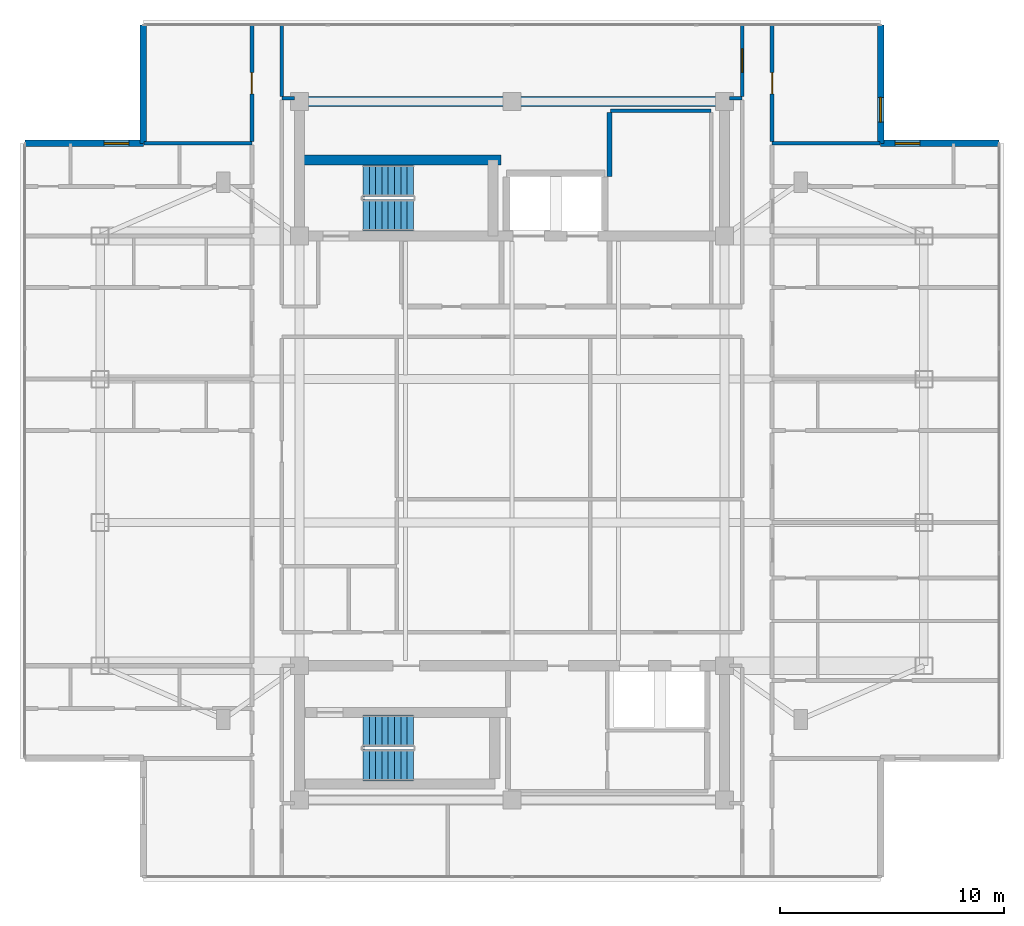
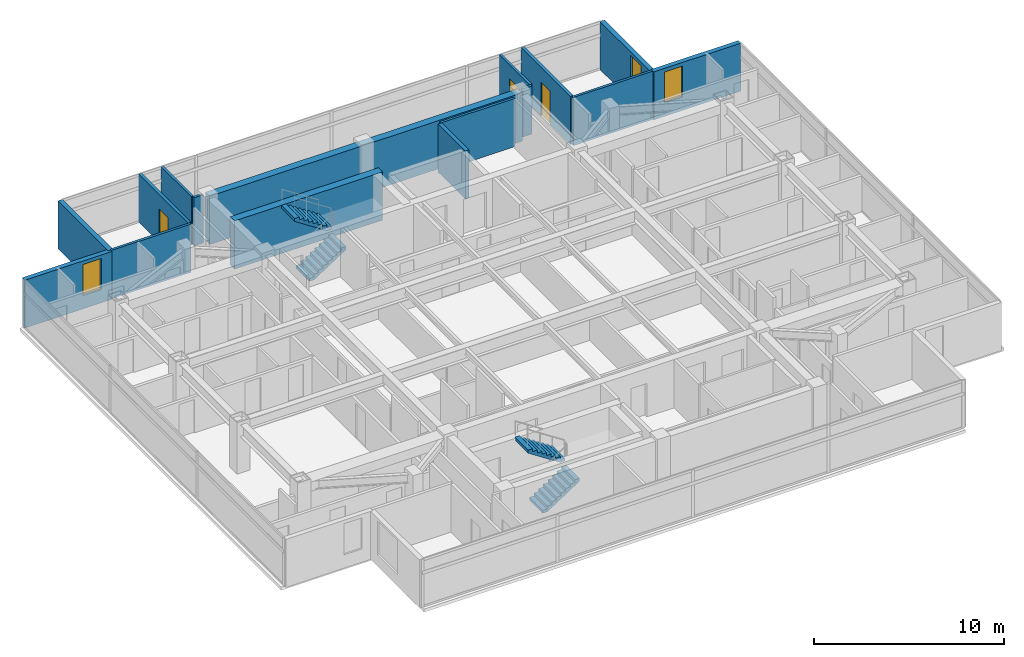
# One storey, part 11 of 14: 16 walls, 4 stair flights, 3 doors, 3 windows, 6 openings, 2 elements without a shape of their own.
"""IFC4 building model written with IfcOpenShell, lengths in metres."""

from ifc_helpers import new_model, si_unit, direction, frame, frame_2d, origin, place, context, subcontext, project, spatial, polyline, rectangle, outline, extrude, material, layer, layer_set, type_object, element, fill, aggregate, save


model = new_model("IFC4")

# Units and contexts
model_context = context("Model", 3, precision=1e-05, world=origin(), true_north=direction((0.0, 1.0)))
body_context = subcontext(model_context, "Body", "Model", "MODEL_VIEW")
ifc_project = project(units=[si_unit("LENGTHUNIT", "METRE"), si_unit("AREAUNIT", "SQUARE_METRE"), si_unit("VOLUMEUNIT", "CUBIC_METRE"), si_unit("PLANEANGLEUNIT", "RADIAN"), si_unit("MASSUNIT", "GRAM", prefix="KILO")], contexts=[model_context])

# Site, building, storey
site_placement = place(None, origin())
site = spatial("IfcSite", under=ifc_project, at=site_placement, CompositionType="ELEMENT")
building_placement = place(site_placement, origin())
building = spatial("IfcBuilding", under=site, at=building_placement, Name="Mirazonda Arch Towers", CompositionType="ELEMENT")
storey_placement = place(building_placement, frame((0.0, 0.0, 239.199951171875)))
storey = spatial("IfcBuildingStorey", under=building, at=storey_placement, Name="L68", CompositionType="ELEMENT", Elevation=239.199951171875)

# Walls
ifc_material_1 = material(Name="Concrete C50/60", Category="concrete")
ifc_layer_1 = layer(ifc_material_1, 0.449951171875, Name="WALL-CORE-450")
ifc_layer_set_1 = layer_set([ifc_layer_1], Name="Concrete C50/60")
wall_type_1 = type_object("IfcWallType", Name="WALL-CORE-450", PredefinedType="SHEAR", material=ifc_layer_set_1)
wall_1_placement = place(storey_placement, frame((11.0, 43.60009765625, 0.0), z_axis=(0.0, 0.0, 1.0), x_axis=(1.0, 0.0, 0.0)))
element("IfcWall", 1, at=wall_1_placement, inside=storey, type_object=wall_type_1, Name="L68 T1N-N Core Shear Wall", PredefinedType="SHEAR", context=body_context, shape_type="SweptSolid", body=[
    extrude(rectangle(XDim=19.0, YDim=0.449951171875, at=frame_2d((9.5, 0.0))), origin(), (0.0, 0.0, 1.0), 3.10009765625),
])
wall_2_placement = place(storey_placement, frame((11.0, 40.992919921875, 0.0), z_axis=(0.0, 0.0, 1.0), x_axis=(1.0, 0.0, 0.0)))
element("IfcWall", 2, at=wall_2_placement, inside=storey, type_object=wall_type_1, Name="L68 T1N-STN Core Shear Wall", PredefinedType="SHEAR", context=body_context, shape_type="SweptSolid", body=[
    extrude(rectangle(XDim=9.0, YDim=0.449951171875, at=frame_2d((4.5, 0.0))), origin(), (0.0, 0.0, 1.0), 3.10009765625),
])

# Wall, opening, window
ifc_material_2 = material(Name="Precast Concrete C40/50", Category="concrete")
ifc_layer_2 = layer(ifc_material_2, 0.280029296875, Name="WALL-EXT-WALL-280")
ifc_layer_set_2 = layer_set([ifc_layer_2], Name="Precast Concrete C40/50")
wall_type_2 = type_object("IfcWallType", Name="WALL-EXT-WALL-280", PredefinedType="SOLIDWALL", material=ifc_layer_set_2)
wall_3_placement = place(storey_placement, frame((36.969970703125, 41.738037109375, 0.0), z_axis=(0.0, 0.0, 1.0), x_axis=(0.0, 1.0, 0.0)))
wall_3 = element("IfcWall", 3, at=wall_3_placement, inside=storey, type_object=wall_type_2, Name="L68 T1 Notched NE Corner Wall WL-L68-T1-CNE", PredefinedType="SOLIDWALL", context=body_context, shape_type="SweptSolid", body=[
    extrude(rectangle(XDim=5.2900390625, YDim=0.280029296875, at=frame_2d((2.64501953125, 0.0))), origin(), (0.0, 0.0, 1.0), 3.080078125),
])
opening_1_placement = place(wall_3_placement, frame((0.949951171875, 0.0, 0.85009765625)))
opening_1 = element("IfcOpeningElement", 4, at=opening_1_placement, cuts=wall_3, Name="Opening WN-108", PredefinedType="OPENING", context=body_context, shape_type="SweptSolid", body=[
    extrude(rectangle(XDim=1.10009765625, YDim=2.0, at=frame_2d((0.550048828125, 1.0))), frame((0.0, 0.14990234375, 0.0), z_axis=(0.0, -1.0, 0.0), x_axis=(1.0, 0.0, 0.0)), (0.0, 0.0, 1.0), 0.300048828125),
])
ifc_material_3 = material(Name="Insulated Low-E Solar Glass", Category="glass")
window_type = type_object("IfcWindowType", Name="WIN-NOTCH-1100x2000", PartitioningType="SINGLE_PANEL", PredefinedType="WINDOW", material=ifc_material_3)
window_1_placement = place(opening_1_placement, origin())
window_1 = element("IfcWindow", 5, at=window_1_placement, inside=storey, type_object=window_type, Name="L68 Punched Facade Window WN-L68-T1-CNE", OverallHeight=2.0, OverallWidth=1.10009765625, PartitioningType="SINGLE_PANEL", PredefinedType="WINDOW", context=body_context, shape_type="SweptSolid", body=[
    extrude(rectangle(XDim=1.10009765625, YDim=2.0, at=frame_2d((0.550048828125, 1.0))), frame((0.0, 0.030029296875, 0.0), z_axis=(0.0, -1.0, 0.0), x_axis=(1.0, 0.0, 0.0)), (0.0, 0.0, 1.0), 0.06005859375),
])
fill(opening_1, window_1)

wall_4_placement = place(storey_placement, frame((4.030029296875, 41.738037109375, 0.0), z_axis=(0.0, 0.0, 1.0), x_axis=(-1.0, 0.0, 0.0)))
wall_4 = element("IfcWall", 6, at=wall_4_placement, inside=storey, type_object=wall_type_2, Name="L68 T1 Corner Notch Return Wall WL-L68-T1-CNW1", PredefinedType="SOLIDWALL", context=body_context, shape_type="SweptSolid", body=[
    extrude(rectangle(XDim=5.2900390625, YDim=0.280029296875, at=frame_2d((2.64501953125, 0.0))), origin(), (0.0, 0.0, 1.0), 3.080078125),
])
opening_2_placement = place(wall_4_placement, frame((0.64990234375, 0.0, 0.85009765625)))
opening_2 = element("IfcOpeningElement", 7, at=opening_2_placement, cuts=wall_4, Name="Opening WN-108", PredefinedType="OPENING", context=body_context, shape_type="SweptSolid", body=[
    extrude(rectangle(XDim=1.10009765625, YDim=2.0, at=frame_2d((0.550048828125, 1.0))), frame((0.0, 0.14990234375, 0.0), z_axis=(0.0, -1.0, 0.0), x_axis=(1.0, 0.0, 0.0)), (0.0, 0.0, 1.0), 0.300048828125),
])
window_2_placement = place(opening_2_placement, origin())
window_2 = element("IfcWindow", 8, at=window_2_placement, inside=storey, type_object=window_type, Name="L68 Punched Facade Window WN-L68-T1-CNW1", OverallHeight=2.0, OverallWidth=1.10009765625, PartitioningType="SINGLE_PANEL", PredefinedType="WINDOW", context=body_context, shape_type="SweptSolid", body=[
    extrude(rectangle(XDim=1.10009765625, YDim=2.0, at=frame_2d((0.550048828125, 1.0))), frame((0.0, 0.030029296875, 0.0), z_axis=(0.0, -1.0, 0.0), x_axis=(1.0, 0.0, 0.0)), (0.0, 0.0, 1.0), 0.06005859375),
])
fill(opening_2, window_2)

# Wall
wall_5_placement = place(storey_placement, frame((4.030029296875, 47.028076171875, 0.0), z_axis=(0.0, 0.0, 1.0), x_axis=(0.0, -1.0, 0.0)))
element("IfcWall", 9, at=wall_5_placement, inside=storey, type_object=wall_type_2, Name="L68 T1 Corner Notch Return Wall WL-L68-T1-CNW2", PredefinedType="SOLIDWALL", context=body_context, shape_type="SweptSolid", body=[
    extrude(rectangle(XDim=5.2900390625, YDim=0.280029296875, at=frame_2d((2.64501953125, 0.0))), origin(), (0.0, 0.0, 1.0), 3.080078125),
])

# Wall, opening, window
wall_6_placement = place(storey_placement, frame((42.260009765625, 41.738037109375, 0.0), z_axis=(0.0, 0.0, 1.0), x_axis=(-1.0, 0.0, 0.0)))
wall_6 = element("IfcWall", 10, at=wall_6_placement, inside=storey, type_object=wall_type_2, Name="L68 T1 Corner Notch Return Wall WL-L68-T1-CNE2", PredefinedType="SOLIDWALL", context=body_context, shape_type="SweptSolid", body=[
    extrude(rectangle(XDim=5.2900390625, YDim=0.280029296875, at=frame_2d((2.64501953125, 0.0))), origin(), (0.0, 0.0, 1.0), 3.080078125),
])
opening_3_placement = place(wall_6_placement, frame((3.5400390625, 0.0, 0.85009765625)))
opening_3 = element("IfcOpeningElement", 11, at=opening_3_placement, cuts=wall_6, Name="Opening WN-108", PredefinedType="OPENING", context=body_context, shape_type="SweptSolid", body=[
    extrude(rectangle(XDim=1.10009765625, YDim=2.0, at=frame_2d((0.550048828125, 1.0))), frame((0.0, 0.14990234375, 0.0), z_axis=(0.0, -1.0, 0.0), x_axis=(1.0, 0.0, 0.0)), (0.0, 0.0, 1.0), 0.300048828125),
])
window_3_placement = place(opening_3_placement, origin())
window_3 = element("IfcWindow", 12, at=window_3_placement, inside=storey, type_object=window_type, Name="L68 Punched Facade Window WN-L68-T1-CNE2", OverallHeight=2.0, OverallWidth=1.10009765625, PartitioningType="SINGLE_PANEL", PredefinedType="WINDOW", context=body_context, shape_type="SweptSolid", body=[
    extrude(rectangle(XDim=1.10009765625, YDim=2.0, at=frame_2d((0.550048828125, 1.0))), frame((0.0, 0.030029296875, 0.0), z_axis=(0.0, -1.0, 0.0), x_axis=(1.0, 0.0, 0.0)), (0.0, 0.0, 1.0), 0.06005859375),
])
fill(opening_3, window_3)

# Walls
ifc_material_4 = material(Name="Concrete C40/50", Category="concrete")
ifc_layer_3 = layer(ifc_material_4, 0.219970703125, Name="WALL-FFL-220")
ifc_layer_set_3 = layer_set([ifc_layer_3], Name="Concrete C40/50")
wall_type_3 = type_object("IfcWallType", Name="WALL-FFL-220", PredefinedType="SOLIDWALL", material=ifc_layer_set_3)
wall_7_placement = place(storey_placement, frame((24.85009765625, 40.260009765625, 0.0), z_axis=(0.0, 0.0, 1.0), x_axis=(0.0, 1.0, 0.0)))
element("IfcWall", 13, at=wall_7_placement, inside=storey, type_object=wall_type_3, Name="L68 Interior Partition 081", PredefinedType="SOLIDWALL", context=body_context, shape_type="SweptSolid", body=[
    extrude(rectangle(XDim=2.85498046875, YDim=0.219970703125, at=frame_2d((1.427490234375, 0.0))), origin(), (0.0, 0.0, 1.0), 3.10009765625),
])
ifc_material_5 = material(Name="Fire-Rated Gypsum Stud Partition")
ifc_layer_4 = layer(ifc_material_5, 0.14990234375, Name="WALL-PART-CORR-150")
ifc_layer_set_4 = layer_set([ifc_layer_4], Name="Fire-Rated Gypsum Stud Partition")
wall_type_4 = type_object("IfcWallType", Name="WALL-PART-CORR-150", PredefinedType="PARTITIONING", material=ifc_layer_set_4)
for number, where, z_axis, x_axis, name in (
    (14, (4.050048828125, 41.738037109375, 0.0), (0.0, 0.0, 1.0), (1.0, 0.0, 0.0), "L68 Interior Partition 034"),
    (15, (32.1201171875, 41.738037109375, 0.0), (0.0, 0.0, 1.0), (1.0, 0.0, 0.0), "L68 Interior Partition 035"),
):
    element("IfcWall", number, at=place(storey_placement, frame(where, z_axis=z_axis, x_axis=x_axis)), inside=storey, type_object=wall_type_4, Name=name, PredefinedType="PARTITIONING", context=body_context, shape_type="SweptSolid", body=[
        extrude(rectangle(XDim=4.829833984375, YDim=0.14990234375, at=frame_2d((2.4150390625, 0.0))), origin(), (0.0, 0.0, 1.0), 3.10009765625),
    ])
wall_8_placement = place(storey_placement, frame((24.89990234375, 43.199951171875, 0.0), z_axis=(0.0, 0.0, 1.0), x_axis=(1.0, 0.0, 0.0)))
element("IfcWall", 16, at=wall_8_placement, inside=storey, type_object=wall_type_4, Name="L68 Interior Partition 036", PredefinedType="PARTITIONING", context=body_context, shape_type="SweptSolid", body=[
    extrude(rectangle(XDim=4.5, YDim=0.14990234375, at=frame_2d((2.25, 0.0))), origin(), (0.0, 0.0, 1.0), 3.10009765625),
])
for number, where, z_axis, x_axis, name in (
    (17, (10.219970703125, 43.75, 0.0), (0.0, 0.0, 1.0), (1.0, 0.0, 0.0), "L68 Interior Partition 037"),
    (18, (30.219970703125, 43.75, 0.0), (0.0, 0.0, 1.0), (1.0, 0.0, 0.0), "L68 Interior Partition 038"),
):
    element("IfcWall", number, at=place(storey_placement, frame(where, z_axis=z_axis, x_axis=x_axis)), inside=storey, type_object=wall_type_4, Name=name, PredefinedType="PARTITIONING", context=body_context, shape_type="SweptSolid", body=[
        extrude(rectangle(XDim=0.56005859375, YDim=0.14990234375, at=frame_2d((0.280029296875, 0.0))), origin(), (0.0, 0.0, 1.0), 3.10009765625),
    ])
wall_9_placement = place(storey_placement, frame((10.219970703125, 43.8349609375, 0.0), z_axis=(0.0, 0.0, 1.0), x_axis=(0.0, 1.0, 0.0)))
element("IfcWall", 19, at=wall_9_placement, inside=storey, type_object=wall_type_4, Name="L68 Interior Partition 062", PredefinedType="PARTITIONING", context=body_context, shape_type="SweptSolid", body=[
    extrude(rectangle(XDim=3.193115234375, YDim=0.14990234375, at=frame_2d((1.5966796875, 0.0))), origin(), (0.0, 0.0, 1.0), 3.10009765625),
])

# Wall, opening, door
wall_10_placement = place(storey_placement, frame((30.780029296875, 43.8349609375, 0.0), z_axis=(0.0, 0.0, 1.0), x_axis=(0.0, 1.0, 0.0)))
wall_10 = element("IfcWall", 20, at=wall_10_placement, inside=storey, type_object=wall_type_4, Name="L68 Interior Partition 091", PredefinedType="PARTITIONING", context=body_context, shape_type="SweptSolid", body=[
    extrude(rectangle(XDim=3.193115234375, YDim=0.14990234375, at=frame_2d((1.5966796875, 0.0))), origin(), (0.0, 0.0, 1.0), 3.10009765625),
])
opening_4_placement = place(wall_10_placement, frame((1.071533203125, 0.0, 0.0)))
opening_4 = element("IfcOpeningElement", 21, at=opening_4_placement, cuts=wall_10, Name="Opening DR-121", PredefinedType="OPENING", context=body_context, shape_type="SweptSolid", body=[
    extrude(rectangle(XDim=1.050048828125, YDim=2.199951171875, at=frame_2d((0.52490234375, 1.10009765625))), frame((0.0, 0.0849609375, 0.0), z_axis=(0.0, -1.0, 0.0), x_axis=(1.0, 0.0, 0.0)), (0.0, 0.0, 1.0), 0.169921875),
])
ifc_material_6 = material(Name="Architectural Brushed Steel S355", Category="steel")
door_type_1 = type_object("IfcDoorType", Name="DOOR-SUITE-FD60-1050", OperationType="NOTDEFINED", PredefinedType="DOOR", material=ifc_material_6)
door_1_placement = place(opening_4_placement, origin())
door_1 = element("IfcDoor", 22, at=door_1_placement, inside=storey, type_object=door_type_1, Name="L68 North Bay Sunroom Suite Door", OperationType="SINGLE_SWING_RIGHT", OverallHeight=2.199951171875, OverallWidth=1.050048828125, PredefinedType="DOOR", context=body_context, shape_type="SweptSolid", body=[
    extrude(rectangle(XDim=1.050048828125, YDim=2.199951171875, at=frame_2d((0.52490234375, 1.10009765625))), frame((0.0, 0.02490234375, 0.0), z_axis=(0.0, -1.0, 0.0), x_axis=(1.0, 0.0, 0.0)), (0.0, 0.0, 1.0), 0.050048828125),
])
fill(opening_4, door_1)

ifc_material_7 = material(Name="Fire-Rated Gypsum Twin-Stud Assembly")
ifc_layer_5 = layer(ifc_material_7, 0.179931640625, Name="WALL-PART-DEMISE-180")
ifc_layer_set_5 = layer_set([ifc_layer_5], Name="Fire-Rated Gypsum Twin-Stud Assembly")
wall_type_5 = type_object("IfcWallType", Name="WALL-PART-DEMISE-180", PredefinedType="PARTITIONING", material=ifc_layer_set_5)
wall_11_placement = place(storey_placement, frame((8.8798828125, 41.822998046875, 0.0), z_axis=(0.0, 0.0, 1.0), x_axis=(0.0, 1.0, 0.0)))
wall_11 = element("IfcWall", 23, at=wall_11_placement, inside=storey, type_object=wall_type_5, Name="L68 Interior Partition 056", PredefinedType="PARTITIONING", context=body_context, shape_type="SweptSolid", body=[
    extrude(rectangle(XDim=5.205078125, YDim=0.179931640625, at=frame_2d((2.6025390625, 0.0))), origin(), (0.0, 0.0, 1.0), 3.10009765625),
])
opening_5_placement = place(wall_11_placement, frame((2.12744140625, 0.0, 0.0)))
opening_5 = element("IfcOpeningElement", 24, at=opening_5_placement, cuts=wall_11, Name="Opening DR-104", PredefinedType="OPENING", context=body_context, shape_type="SweptSolid", body=[
    extrude(rectangle(XDim=0.949951171875, YDim=2.14990234375, at=frame_2d((0.47509765625, 1.074951171875))), frame((0.0, 0.099853515625, 0.0), z_axis=(0.0, -1.0, 0.0), x_axis=(1.0, 0.0, 0.0)), (0.0, 0.0, 1.0), 0.199951171875),
])
door_type_2 = type_object("IfcDoorType", Name="DOOR-ROOM-950", OperationType="NOTDEFINED", PredefinedType="DOOR", material=ifc_material_6)
door_2_placement = place(opening_5_placement, origin())
door_2 = element("IfcDoor", 25, at=door_2_placement, inside=storey, type_object=door_type_2, Name="L68 North Bay Sunroom Alcove West Door", OperationType="SINGLE_SWING_LEFT", OverallHeight=2.14990234375, OverallWidth=0.949951171875, PredefinedType="DOOR", context=body_context, shape_type="SweptSolid", body=[
    extrude(rectangle(XDim=0.949951171875, YDim=2.14990234375, at=frame_2d((0.47509765625, 1.074951171875))), frame((0.0, 0.02490234375, 0.0), z_axis=(0.0, -1.0, 0.0), x_axis=(1.0, 0.0, 0.0)), (0.0, 0.0, 1.0), 0.050048828125),
])
fill(opening_5, door_2)

wall_12_placement = place(storey_placement, frame((32.1201171875, 41.822998046875, 0.0), z_axis=(0.0, 0.0, 1.0), x_axis=(0.0, 1.0, 0.0)))
wall_12 = element("IfcWall", 26, at=wall_12_placement, inside=storey, type_object=wall_type_5, Name="L68 Interior Partition 103", PredefinedType="PARTITIONING", context=body_context, shape_type="SweptSolid", body=[
    extrude(rectangle(XDim=5.205078125, YDim=0.179931640625, at=frame_2d((2.6025390625, 0.0))), origin(), (0.0, 0.0, 1.0), 3.10009765625),
])
opening_6_placement = place(wall_12_placement, frame((2.12744140625, 0.0, 0.0)))
opening_6 = element("IfcOpeningElement", 27, at=opening_6_placement, cuts=wall_12, Name="Opening DR-104", PredefinedType="OPENING", context=body_context, shape_type="SweptSolid", body=[
    extrude(rectangle(XDim=0.949951171875, YDim=2.14990234375, at=frame_2d((0.47509765625, 1.074951171875))), frame((0.0, 0.099853515625, 0.0), z_axis=(0.0, -1.0, 0.0), x_axis=(1.0, 0.0, 0.0)), (0.0, 0.0, 1.0), 0.199951171875),
])
door_3_placement = place(opening_6_placement, origin())
door_3 = element("IfcDoor", 28, at=door_3_placement, inside=storey, type_object=door_type_2, Name="L68 North Bay Sunroom Alcove East Door", OperationType="SINGLE_SWING_RIGHT", OverallHeight=2.14990234375, OverallWidth=0.949951171875, PredefinedType="DOOR", context=body_context, shape_type="SweptSolid", body=[
    extrude(rectangle(XDim=0.949951171875, YDim=2.14990234375, at=frame_2d((0.47509765625, 1.074951171875))), frame((0.0, 0.02490234375, 0.0), z_axis=(0.0, -1.0, 0.0), x_axis=(1.0, 0.0, 0.0)), (0.0, 0.0, 1.0), 0.050048828125),
])
fill(opening_6, door_3)

# Stair, stair flights
stair_type = type_object("IfcStairType", Name="STAIR-CORE-1400", PredefinedType="HALF_TURN_STAIR", material=ifc_material_4)
stair_1_placement = place(storey_placement, origin())
stair_1 = element("IfcStair", 29, at=stair_1_placement, inside=storey, type_object=stair_type, Name="L68 Protected Exit Stair ST-T1N", PredefinedType="HALF_TURN_STAIR")
stair_flight_type = type_object("IfcStairFlightType", Name="FLIGHT-1400", PredefinedType="STRAIGHT", material=ifc_material_4)
stair_flight_1_placement = place(storey_placement, frame((13.85009765625, 38.52001953125, 0.0), z_axis=(0.0, 0.0, 1.0), x_axis=(1.0, 0.0, 0.0)))
stair_flight_1 = element("IfcStairFlight", 30, at=stair_flight_1_placement, type_object=stair_flight_type, Name="ST-T1N flight 1", NumberOfRisers=9, NumberOfTreads=8, PredefinedType="STRAIGHT", RiserHeight=0.183333333, TreadLength=0.28, context=body_context, shape_type="SweptSolid", body=[
    extrude(outline(polyline([(0.0, 0.0), (0.0, 0.183349609375), (0.280029296875, 0.183349609375), (0.280029296875, 0.36669921875), (0.56005859375, 0.36669921875), (0.56005859375, 0.550048828125), (0.840087890625, 0.550048828125), (0.840087890625, 0.7333984375), (1.1201171875, 0.7333984375), (1.1201171875, 0.916748046875), (1.39990234375, 0.916748046875), (1.39990234375, 1.10009765625), (1.679931640625, 1.10009765625), (1.679931640625, 1.283447265625), (1.9599609375, 1.283447265625), (1.9599609375, 1.466552734375), (2.239990234375, 1.466552734375), (2.239990234375, 1.64990234375), (2.239990234375, 1.275634765625), (0.2919921875, 0.0), (0.0, 0.0)])), frame((0.0, 0.699951171875, 0.0), z_axis=(0.0, -1.0, 0.0), x_axis=(1.0, 0.0, 0.0)), (0.0, 0.0, 1.0), 1.39990234375),
])
stair_flight_2_placement = place(storey_placement, frame((16.090087890625, 40.06005859375, 1.650146484375), z_axis=(0.0, 0.0, 1.0), x_axis=(-1.0, 0.0, 0.0)))
stair_flight_2 = element("IfcStairFlight", 31, at=stair_flight_2_placement, type_object=stair_flight_type, Name="ST-T1N flight 2", NumberOfRisers=9, NumberOfTreads=8, PredefinedType="STRAIGHT", RiserHeight=0.183333333, TreadLength=0.28, context=body_context, shape_type="SweptSolid", body=[
    extrude(outline(polyline([(0.0, 0.0), (0.0, 0.183349609375), (0.280029296875, 0.183349609375), (0.280029296875, 0.36669921875), (0.56005859375, 0.36669921875), (0.56005859375, 0.550048828125), (0.840087890625, 0.550048828125), (0.840087890625, 0.7333984375), (1.1201171875, 0.7333984375), (1.1201171875, 0.916748046875), (1.39990234375, 0.916748046875), (1.39990234375, 1.10009765625), (1.679931640625, 1.10009765625), (1.679931640625, 1.283447265625), (1.9599609375, 1.283447265625), (1.9599609375, 1.466552734375), (2.239990234375, 1.466552734375), (2.239990234375, 1.64990234375), (2.239990234375, 1.275634765625), (0.2919921875, 0.0), (0.0, 0.0)])), frame((0.0, 0.699951171875, 0.0), z_axis=(0.0, -1.0, 0.0), x_axis=(1.0, 0.0, 0.0)), (0.0, 0.0, 1.0), 1.39990234375),
])
aggregate(stair_1, [stair_flight_1, stair_flight_2])

stair_2_placement = place(storey_placement, origin())
stair_2 = element("IfcStair", 32, at=stair_2_placement, inside=storey, type_object=stair_type, Name="L68 Protected Exit Stair ST-T1S", PredefinedType="HALF_TURN_STAIR")
stair_flight_3_placement = place(storey_placement, frame((13.85009765625, 13.949951171875, 0.0), z_axis=(0.0, 0.0, 1.0), x_axis=(1.0, 0.0, 0.0)))
stair_flight_3 = element("IfcStairFlight", 33, at=stair_flight_3_placement, type_object=stair_flight_type, Name="ST-T1S flight 1", NumberOfRisers=9, NumberOfTreads=8, PredefinedType="STRAIGHT", RiserHeight=0.183333333, TreadLength=0.28, context=body_context, shape_type="SweptSolid", body=[
    extrude(outline(polyline([(0.0, 0.0), (0.0, 0.183349609375), (0.280029296875, 0.183349609375), (0.280029296875, 0.36669921875), (0.56005859375, 0.36669921875), (0.56005859375, 0.550048828125), (0.840087890625, 0.550048828125), (0.840087890625, 0.7333984375), (1.1201171875, 0.7333984375), (1.1201171875, 0.916748046875), (1.39990234375, 0.916748046875), (1.39990234375, 1.10009765625), (1.679931640625, 1.10009765625), (1.679931640625, 1.283447265625), (1.9599609375, 1.283447265625), (1.9599609375, 1.466552734375), (2.239990234375, 1.466552734375), (2.239990234375, 1.64990234375), (2.239990234375, 1.275634765625), (0.2919921875, 0.0), (0.0, 0.0)])), frame((0.0, 0.699951171875, 0.0), z_axis=(0.0, -1.0, 0.0), x_axis=(1.0, 0.0, 0.0)), (0.0, 0.0, 1.0), 1.39990234375),
])
stair_flight_4_placement = place(storey_placement, frame((16.090087890625, 15.489990234375, 1.650146484375), z_axis=(0.0, 0.0, 1.0), x_axis=(-1.0, 0.0, 0.0)))
stair_flight_4 = element("IfcStairFlight", 34, at=stair_flight_4_placement, type_object=stair_flight_type, Name="ST-T1S flight 2", NumberOfRisers=9, NumberOfTreads=8, PredefinedType="STRAIGHT", RiserHeight=0.183333333, TreadLength=0.28, context=body_context, shape_type="SweptSolid", body=[
    extrude(outline(polyline([(0.0, 0.0), (0.0, 0.183349609375), (0.280029296875, 0.183349609375), (0.280029296875, 0.36669921875), (0.56005859375, 0.36669921875), (0.56005859375, 0.550048828125), (0.840087890625, 0.550048828125), (0.840087890625, 0.7333984375), (1.1201171875, 0.7333984375), (1.1201171875, 0.916748046875), (1.39990234375, 0.916748046875), (1.39990234375, 1.10009765625), (1.679931640625, 1.10009765625), (1.679931640625, 1.283447265625), (1.9599609375, 1.283447265625), (1.9599609375, 1.466552734375), (2.239990234375, 1.466552734375), (2.239990234375, 1.64990234375), (2.239990234375, 1.275634765625), (0.2919921875, 0.0), (0.0, 0.0)])), frame((0.0, 0.699951171875, 0.0), z_axis=(0.0, -1.0, 0.0), x_axis=(1.0, 0.0, 0.0)), (0.0, 0.0, 1.0), 1.39990234375),
])
aggregate(stair_2, [stair_flight_3, stair_flight_4])

save(model, "model.ifc")
